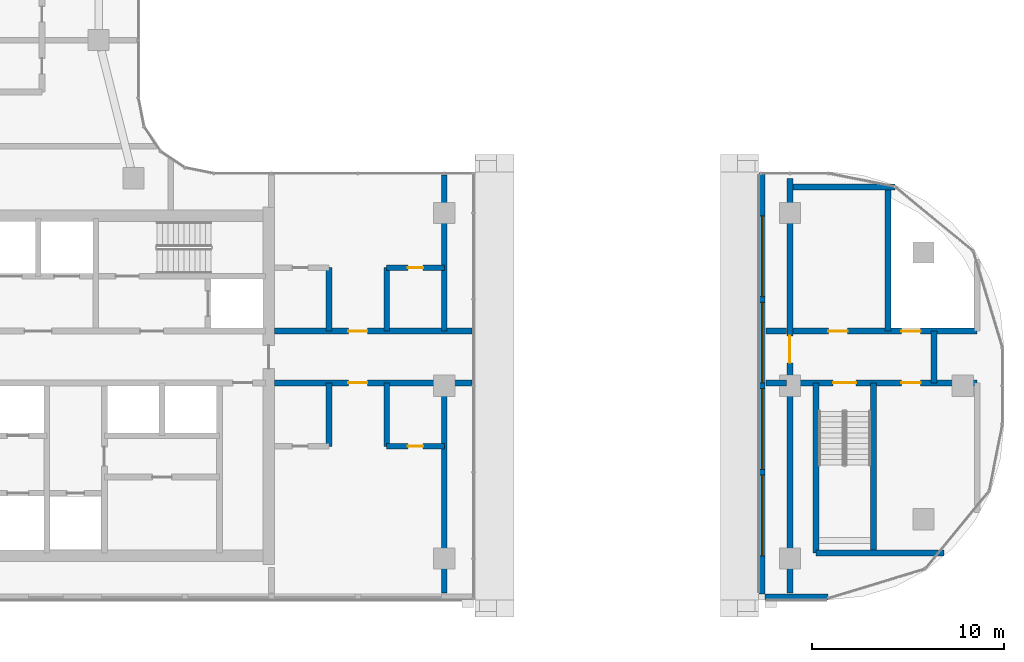
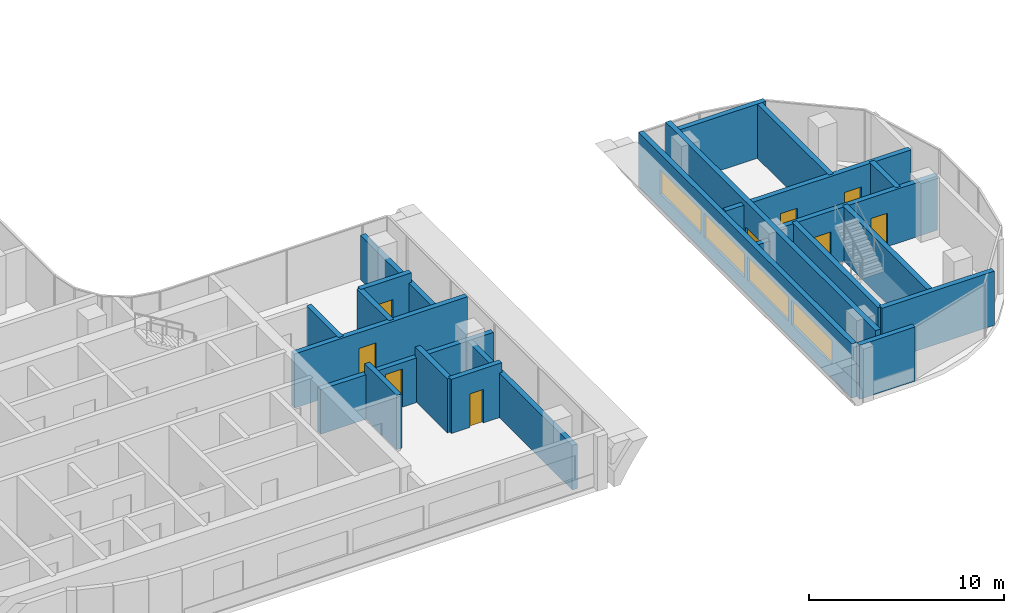
# One storey, part 12 of 23: 23 walls, 9 doors, 4 windows, 13 openings.
"""IFC4 building model written with IfcOpenShell, lengths in metres."""

from ifc_helpers import new_model, si_unit, direction, frame, frame_2d, origin, place, context, subcontext, project, spatial, rectangle, extrude, material, layer, layer_set, type_object, element, fill, save


model = new_model("IFC4")

# Units and contexts
model_context = context("Model", 3, precision=1e-05, world=origin(), true_north=direction((0.0, 1.0)))
body_context = subcontext(model_context, "Body", "Model", "MODEL_VIEW")
ifc_project = project(units=[si_unit("LENGTHUNIT", "METRE"), si_unit("AREAUNIT", "SQUARE_METRE"), si_unit("VOLUMEUNIT", "CUBIC_METRE"), si_unit("PLANEANGLEUNIT", "RADIAN"), si_unit("MASSUNIT", "GRAM", prefix="KILO")], contexts=[model_context])

# Site, building, storey
site_placement = place(None, origin())
site = spatial("IfcSite", under=ifc_project, at=site_placement, CompositionType="ELEMENT")
building_placement = place(site_placement, origin())
building = spatial("IfcBuilding", under=site, at=building_placement, Name="Ogive Portal Towers", CompositionType="ELEMENT")
storey_placement = place(building_placement, frame((0.0, 0.0, 175.5)))
storey = spatial("IfcBuildingStorey", under=building, at=storey_placement, Name="L43", CompositionType="ELEMENT", Elevation=175.5)

# Wall, openings, windows
ifc_material_1 = material(Name="Limestone cladding on lightweight block wall", Category="masonry")
ifc_layer_1 = layer(ifc_material_1, 0.300048828125)
ifc_layer_set_1 = layer_set([ifc_layer_1], Name="EXTERNAL WALL 300 STONE")
wall_type_1 = type_object("IfcWallType", Name="EXTERNAL WALL 300 STONE", PredefinedType="SOLIDWALL", material=ifc_layer_set_1)
wall_1_placement = place(storey_placement, frame((84.050048828125, 41.56494140625, 0.0), z_axis=(0.0, 0.0, 1.0), x_axis=(0.0, -1.0, 0.0)))
wall_1 = element("IfcWall", 1, at=wall_1_placement, inside=storey, type_object=wall_type_1, Name="A:L43:f35:r0:wall", PredefinedType="SOLIDWALL", context=body_context, shape_type="SweptSolid", body=[
    extrude(rectangle(XDim=21.909912109375, YDim=0.300048828125, at=frame_2d((10.955078125, 0.0))), origin(), (0.0, 0.0, 1.0), 3.39990234375),
])
opening_1_placement = place(wall_1_placement, frame((2.215087890625, 0.0, 0.89990234375)))
opening_1 = element("IfcOpeningElement", 2, at=opening_1_placement, cuts=wall_1, Name="Opening WN11", PredefinedType="OPENING", context=body_context, shape_type="SweptSolid", body=[
    extrude(rectangle(XDim=4.199951171875, YDim=1.5, at=frame_2d((2.10009765625, 0.75))), frame((0.0, 0.16015625, 0.0), z_axis=(0.0, -1.0, 0.0), x_axis=(1.0, 0.0, 0.0)), (0.0, 0.0, 1.0), 0.320068359375),
])
opening_2_placement = place(wall_1_placement, frame((6.715087890625, 0.0, 0.89990234375)))
opening_2 = element("IfcOpeningElement", 3, at=opening_2_placement, cuts=wall_1, Name="Opening WN11", PredefinedType="OPENING", context=body_context, shape_type="SweptSolid", body=[
    extrude(rectangle(XDim=4.199951171875, YDim=1.5, at=frame_2d((2.10009765625, 0.75))), frame((0.0, 0.16015625, 0.0), z_axis=(0.0, -1.0, 0.0), x_axis=(1.0, 0.0, 0.0)), (0.0, 0.0, 1.0), 0.320068359375),
])
opening_3_placement = place(wall_1_placement, frame((11.215087890625, 0.0, 0.89990234375)))
opening_3 = element("IfcOpeningElement", 4, at=opening_3_placement, cuts=wall_1, Name="Opening WN11", PredefinedType="OPENING", context=body_context, shape_type="SweptSolid", body=[
    extrude(rectangle(XDim=4.199951171875, YDim=1.5, at=frame_2d((2.10009765625, 0.75))), frame((0.0, 0.16015625, 0.0), z_axis=(0.0, -1.0, 0.0), x_axis=(1.0, 0.0, 0.0)), (0.0, 0.0, 1.0), 0.320068359375),
])
opening_4_placement = place(wall_1_placement, frame((15.715087890625, 0.0, 0.89990234375)))
opening_4 = element("IfcOpeningElement", 5, at=opening_4_placement, cuts=wall_1, Name="Opening WN11", PredefinedType="OPENING", context=body_context, shape_type="SweptSolid", body=[
    extrude(rectangle(XDim=4.199951171875, YDim=1.5, at=frame_2d((2.10009765625, 0.75))), frame((0.0, 0.16015625, 0.0), z_axis=(0.0, -1.0, 0.0), x_axis=(1.0, 0.0, 0.0)), (0.0, 0.0, 1.0), 0.320068359375),
])
ifc_material_2 = material(Name="Glass, clear low-iron insulated glazing", Category="glass")
window_type = type_object("IfcWindowType", Name="WINDOW RIBBON 4200x1500", PartitioningType="TRIPLE_PANEL_VERTICAL", PredefinedType="WINDOW", material=ifc_material_2)
window_1_placement = place(opening_1_placement, origin())
window_1 = element("IfcWindow", 6, at=window_1_placement, inside=storey, type_object=window_type, Name="A:L43:f35:r0:w1", OverallHeight=1.5, OverallWidth=4.199951171875, PartitioningType="SINGLE_PANEL", PredefinedType="WINDOW", context=body_context, shape_type="SweptSolid", body=[
    extrude(rectangle(XDim=4.199951171875, YDim=1.5, at=frame_2d((2.10009765625, 0.75))), frame((0.0, 0.030029296875, 0.0), z_axis=(0.0, -1.0, 0.0), x_axis=(1.0, 0.0, 0.0)), (0.0, 0.0, 1.0), 0.06005859375),
])
fill(opening_1, window_1)
window_2_placement = place(opening_2_placement, origin())
window_2 = element("IfcWindow", 7, at=window_2_placement, inside=storey, type_object=window_type, Name="A:L43:f35:r0:w2", OverallHeight=1.5, OverallWidth=4.199951171875, PartitioningType="SINGLE_PANEL", PredefinedType="WINDOW", context=body_context, shape_type="SweptSolid", body=[
    extrude(rectangle(XDim=4.199951171875, YDim=1.5, at=frame_2d((2.10009765625, 0.75))), frame((0.0, 0.030029296875, 0.0), z_axis=(0.0, -1.0, 0.0), x_axis=(1.0, 0.0, 0.0)), (0.0, 0.0, 1.0), 0.06005859375),
])
fill(opening_2, window_2)
window_3_placement = place(opening_3_placement, origin())
window_3 = element("IfcWindow", 8, at=window_3_placement, inside=storey, type_object=window_type, Name="A:L43:f35:r0:w3", OverallHeight=1.5, OverallWidth=4.199951171875, PartitioningType="SINGLE_PANEL", PredefinedType="WINDOW", context=body_context, shape_type="SweptSolid", body=[
    extrude(rectangle(XDim=4.199951171875, YDim=1.5, at=frame_2d((2.10009765625, 0.75))), frame((0.0, 0.030029296875, 0.0), z_axis=(0.0, -1.0, 0.0), x_axis=(1.0, 0.0, 0.0)), (0.0, 0.0, 1.0), 0.06005859375),
])
fill(opening_3, window_3)
window_4_placement = place(opening_4_placement, origin())
window_4 = element("IfcWindow", 9, at=window_4_placement, inside=storey, type_object=window_type, Name="A:L43:f35:r0:w4", OverallHeight=1.5, OverallWidth=4.199951171875, PartitioningType="SINGLE_PANEL", PredefinedType="WINDOW", context=body_context, shape_type="SweptSolid", body=[
    extrude(rectangle(XDim=4.199951171875, YDim=1.5, at=frame_2d((2.10009765625, 0.75))), frame((0.0, 0.030029296875, 0.0), z_axis=(0.0, -1.0, 0.0), x_axis=(1.0, 0.0, 0.0)), (0.0, 0.0, 1.0), 0.06005859375),
])
fill(opening_4, window_4)

# Wall
wall_2_placement = place(storey_placement, frame((84.199951171875, 19.5048828125, 0.0), z_axis=(0.0, 0.0, 1.0), x_axis=(1.0, 0.0, 0.0)))
element("IfcWall", 10, at=wall_2_placement, inside=storey, type_object=wall_type_1, Name="A:L43:f36:r0:wall", PredefinedType="SOLIDWALL", context=body_context, shape_type="SweptSolid", body=[
    extrude(rectangle(XDim=3.2880859375, YDim=0.300048828125, at=frame_2d((1.64404296875, 0.0))), origin(), (0.0, 0.0, 1.0), 3.39990234375),
])

# Wall, opening, door
ifc_material_3 = material(Name="Concrete C60/75", Category="concrete")
ifc_layer_2 = layer(ifc_material_3, 0.300048828125)
ifc_layer_set_2 = layer_set([ifc_layer_2], Name="REVEAL WALL 300 C60")
wall_type_2 = type_object("IfcWallType", Name="REVEAL WALL 300 C60", PredefinedType="SHEAR", material=ifc_layer_set_2)
wall_3_placement = place(storey_placement, frame((85.5, 19.705078125, 0.0), z_axis=(0.0, 0.0, 1.0), x_axis=(0.0, 1.0, 0.0)))
wall_3 = element("IfcWall", 11, at=wall_3_placement, inside=storey, type_object=wall_type_2, Name="Portal reveal wall L43", PredefinedType="SHEAR", context=body_context, shape_type="SweptSolid", body=[
    extrude(rectangle(XDim=21.58984375, YDim=0.300048828125, at=frame_2d((10.794921875, 0.0))), origin(), (0.0, 0.0, 1.0), 3.699951171875),
])
opening_5_placement = place(wall_3_placement, frame((11.9951171875, 0.0, 0.0)))
opening_5 = element("IfcOpeningElement", 12, at=opening_5_placement, cuts=wall_3, Name="Opening D18-054", PredefinedType="OPENING", context=body_context, shape_type="SweptSolid", body=[
    extrude(rectangle(XDim=1.39990234375, YDim=2.10009765625, at=frame_2d((0.699951171875, 1.050048828125))), frame((0.0, 0.16015625, 0.0), z_axis=(0.0, -1.0, 0.0), x_axis=(1.0, 0.0, 0.0)), (0.0, 0.0, 1.0), 0.320068359375),
])
ifc_material_4 = material(Name="Steel fire door", Category="steel")
door_type_1 = type_object("IfcDoorType", Name="DT-STAIR-1400x2100-FD90S", OperationType="SINGLE_SWING_LEFT", PredefinedType="DOOR", material=ifc_material_4)
door_1_placement = place(opening_5_placement, origin())
door_1 = element("IfcDoor", 13, at=door_1_placement, inside=storey, type_object=door_type_1, Name="Door D18-054", OperationType="SINGLE_SWING_RIGHT", OverallHeight=2.10009765625, OverallWidth=1.39990234375, PredefinedType="DOOR", context=body_context, shape_type="SweptSolid", body=[
    extrude(rectangle(XDim=1.39990234375, YDim=2.10009765625, at=frame_2d((0.699951171875, 1.050048828125))), frame((0.0, 0.02490234375, 0.0), z_axis=(0.0, -1.0, 0.0), x_axis=(1.0, 0.0, 0.0)), (0.0, 0.0, 1.0), 0.050048828125),
])
fill(opening_5, door_1)

# Wall
ifc_material_5 = material(Name="Concrete C50/60", Category="concrete")
ifc_layer_3 = layer(ifc_material_5, 0.300048828125)
ifc_layer_set_3 = layer_set([ifc_layer_3], Name="STAIR WALL 300 C50")
wall_type_3 = type_object("IfcWallType", Name="STAIR WALL 300 C50", PredefinedType="SHEAR", material=ifc_layer_set_3)
wall_4_placement = place(storey_placement, frame((86.85009765625, 21.800048828125, 0.0), z_axis=(0.0, 0.0, 1.0), x_axis=(1.0, 0.0, 0.0)))
element("IfcWall", 14, at=wall_4_placement, inside=storey, type_object=wall_type_3, Name="Stair wall ST-A4 L43", PredefinedType="SHEAR", context=body_context, shape_type="SweptSolid", body=[
    extrude(rectangle(XDim=6.663818359375, YDim=0.300048828125, at=frame_2d((3.33203125, 0.0))), origin(), (0.0, 0.0, 1.0), 3.39990234375),
])

# Wall, openings, doors
wall_5_placement = place(storey_placement, frame((85.669921875, 30.64990234375, 0.0), z_axis=(0.0, 0.0, 1.0), x_axis=(1.0, 0.0, 0.0)))
wall_5 = element("IfcWall", 15, at=wall_5_placement, inside=storey, type_object=wall_type_3, Name="Stair wall ST-A4 L43", PredefinedType="SHEAR", context=body_context, shape_type="SweptSolid", body=[
    extrude(rectangle(XDim=9.580078125, YDim=0.300048828125, at=frame_2d((4.7900390625, 0.0))), origin(), (0.0, 0.0, 1.0), 3.39990234375),
])
opening_6_placement = place(wall_5_placement, frame((2.080078125, 0.0, 0.0)))
opening_6 = element("IfcOpeningElement", 16, at=opening_6_placement, cuts=wall_5, Name="Opening D18-049", PredefinedType="OPENING", context=body_context, shape_type="SweptSolid", body=[
    extrude(rectangle(XDim=1.199951171875, YDim=2.10009765625, at=frame_2d((0.60009765625, 1.050048828125))), frame((0.0, 0.16015625, 0.0), z_axis=(0.0, -1.0, 0.0), x_axis=(1.0, 0.0, 0.0)), (0.0, 0.0, 1.0), 0.320068359375),
])
opening_7_placement = place(wall_5_placement, frame((5.6298828125, 0.0, 0.0)))
opening_7 = element("IfcOpeningElement", 17, at=opening_7_placement, cuts=wall_5, Name="Opening D18-052", PredefinedType="OPENING", context=body_context, shape_type="SweptSolid", body=[
    extrude(rectangle(XDim=1.0, YDim=2.10009765625, at=frame_2d((0.5, 1.050048828125))), frame((0.0, 0.16015625, 0.0), z_axis=(0.0, -1.0, 0.0), x_axis=(1.0, 0.0, 0.0)), (0.0, 0.0, 1.0), 0.320068359375),
])
door_type_2 = type_object("IfcDoorType", Name="DT-SERVICE-1000x2100-FD90S", OperationType="SINGLE_SWING_LEFT", PredefinedType="DOOR", material=ifc_material_4)
door_2_placement = place(opening_7_placement, origin())
door_2 = element("IfcDoor", 18, at=door_2_placement, inside=storey, type_object=door_type_2, Name="Door D18-052", OperationType="SINGLE_SWING_LEFT", OverallHeight=2.10009765625, OverallWidth=1.0, PredefinedType="DOOR", context=body_context, shape_type="SweptSolid", body=[
    extrude(rectangle(XDim=1.0, YDim=2.10009765625, at=frame_2d((0.5, 1.050048828125))), frame((0.0, 0.02490234375, 0.0), z_axis=(0.0, -1.0, 0.0), x_axis=(1.0, 0.0, 0.0)), (0.0, 0.0, 1.0), 0.050048828125),
])
fill(opening_7, door_2)
door_type_3 = type_object("IfcDoorType", Name="DT-STAIR-1200x2100-FD90S", OperationType="SINGLE_SWING_LEFT", PredefinedType="DOOR", material=ifc_material_4)
door_3_placement = place(opening_6_placement, origin())
door_3 = element("IfcDoor", 19, at=door_3_placement, inside=storey, type_object=door_type_3, Name="Door D18-049", OperationType="SINGLE_SWING_LEFT", OverallHeight=2.10009765625, OverallWidth=1.199951171875, PredefinedType="DOOR", context=body_context, shape_type="SweptSolid", body=[
    extrude(rectangle(XDim=1.199951171875, YDim=2.10009765625, at=frame_2d((0.60009765625, 1.050048828125))), frame((0.0, 0.02490234375, 0.0), z_axis=(0.0, -1.0, 0.0), x_axis=(1.0, 0.0, 0.0)), (0.0, 0.0, 1.0), 0.050048828125),
])
fill(opening_6, door_3)

# Walls
for number, where, z_axis, x_axis, name in (
    (20, (86.85009765625, 21.800048828125, 0.0), (0.0, 0.0, 1.0), (0.0, 1.0, 0.0), "Stair wall ST-A4 L43"),
    (21, (89.85009765625, 21.800048828125, 0.0), (0.0, 0.0, 1.0), (0.0, 1.0, 0.0), "Stair wall ST-A4 L43"),
):
    element("IfcWall", number, at=place(storey_placement, frame(where, z_axis=z_axis, x_axis=x_axis)), inside=storey, type_object=wall_type_3, Name=name, PredefinedType="SHEAR", context=body_context, shape_type="SweptSolid", body=[
        extrude(rectangle(XDim=8.849853515625, YDim=0.300048828125, at=frame_2d((4.4248046875, 0.0))), origin(), (0.0, 0.0, 1.0), 3.39990234375),
    ])

# Wall, opening, door
ifc_material_6 = material(Name="Gypsum board partition on steel studs", Category="steel")
ifc_layer_4 = layer(ifc_material_6, 0.300048828125)
ifc_layer_set_4 = layer_set([ifc_layer_4], Name="WT-PART-300-EI 120")
wall_type_4 = type_object("IfcWallType", Name="WT-PART-300-EI 120", PredefinedType="PARTITIONING", material=ifc_layer_set_4)
wall_6_placement = place(storey_placement, frame((58.64990234375, 30.64990234375, 0.0), z_axis=(0.0, 0.0, 1.0), x_axis=(1.0, 0.0, 0.0)))
wall_6 = element("IfcWall", 22, at=wall_6_placement, inside=storey, type_object=wall_type_4, Name="Wall L43:w004", PredefinedType="PARTITIONING", context=body_context, shape_type="SweptSolid", body=[
    extrude(rectangle(XDim=10.280029296875, YDim=0.300048828125, at=frame_2d((5.14013671875, 0.0))), origin(), (0.0, 0.0, 1.0), 2.800048828125),
])
opening_8_placement = place(wall_6_placement, frame((3.85009765625, 0.0, 0.0)))
opening_8 = element("IfcOpeningElement", 23, at=opening_8_placement, cuts=wall_6, Name="Opening D18-030", PredefinedType="OPENING", context=body_context, shape_type="SweptSolid", body=[
    extrude(rectangle(XDim=1.0, YDim=2.39990234375, at=frame_2d((0.5, 1.199951171875))), frame((0.0, 0.16015625, 0.0), z_axis=(0.0, -1.0, 0.0), x_axis=(1.0, 0.0, 0.0)), (0.0, 0.0, 1.0), 0.320068359375),
])
door_type_4 = type_object("IfcDoorType", Name="DT-ENTRY-1000x2400-FD90S", OperationType="SINGLE_SWING_LEFT", PredefinedType="DOOR", material=ifc_material_4)
door_4_placement = place(opening_8_placement, origin())
door_4 = element("IfcDoor", 24, at=door_4_placement, inside=storey, type_object=door_type_4, Name="Door D18-030", OperationType="SINGLE_SWING_LEFT", OverallHeight=2.39990234375, OverallWidth=1.0, PredefinedType="DOOR", context=body_context, shape_type="SweptSolid", body=[
    extrude(rectangle(XDim=1.0, YDim=2.39990234375, at=frame_2d((0.5, 1.199951171875))), frame((0.0, 0.02490234375, 0.0), z_axis=(0.0, -1.0, 0.0), x_axis=(1.0, 0.0, 0.0)), (0.0, 0.0, 1.0), 0.050048828125),
])
fill(opening_8, door_4)

# Wall
wall_7_placement = place(storey_placement, frame((84.25, 30.64990234375, 0.0), z_axis=(0.0, 0.0, 1.0), x_axis=(1.0, 0.0, 0.0)))
element("IfcWall", 25, at=wall_7_placement, inside=storey, type_object=wall_type_4, Name="Wall L43:w005", PredefinedType="PARTITIONING", context=body_context, shape_type="SweptSolid", body=[
    extrude(rectangle(XDim=1.080078125, YDim=0.300048828125, at=frame_2d((0.5400390625, 0.0))), origin(), (0.0, 0.0, 1.0), 2.800048828125),
])

# Wall, opening, door
wall_8_placement = place(storey_placement, frame((58.64990234375, 33.35009765625, 0.0), z_axis=(0.0, 0.0, 1.0), x_axis=(1.0, 0.0, 0.0)))
wall_8 = element("IfcWall", 26, at=wall_8_placement, inside=storey, type_object=wall_type_4, Name="Wall L43:w007", PredefinedType="PARTITIONING", context=body_context, shape_type="SweptSolid", body=[
    extrude(rectangle(XDim=10.280029296875, YDim=0.300048828125, at=frame_2d((5.14013671875, 0.0))), origin(), (0.0, 0.0, 1.0), 3.39990234375),
])
opening_9_placement = place(wall_8_placement, frame((3.85009765625, 0.0, 0.0)))
opening_9 = element("IfcOpeningElement", 27, at=opening_9_placement, cuts=wall_8, Name="Opening D18-027", PredefinedType="OPENING", context=body_context, shape_type="SweptSolid", body=[
    extrude(rectangle(XDim=1.0, YDim=2.39990234375, at=frame_2d((0.5, 1.199951171875))), frame((0.0, 0.16015625, 0.0), z_axis=(0.0, -1.0, 0.0), x_axis=(1.0, 0.0, 0.0)), (0.0, 0.0, 1.0), 0.320068359375),
])
door_5_placement = place(opening_9_placement, origin())
door_5 = element("IfcDoor", 28, at=door_5_placement, inside=storey, type_object=door_type_4, Name="Door D18-027", OperationType="SINGLE_SWING_LEFT", OverallHeight=2.39990234375, OverallWidth=1.0, PredefinedType="DOOR", context=body_context, shape_type="SweptSolid", body=[
    extrude(rectangle(XDim=1.0, YDim=2.39990234375, at=frame_2d((0.5, 1.199951171875))), frame((0.0, 0.02490234375, 0.0), z_axis=(0.0, -1.0, 0.0), x_axis=(1.0, 0.0, 0.0)), (0.0, 0.0, 1.0), 0.050048828125),
])
fill(opening_9, door_5)

# Wall
wall_9_placement = place(storey_placement, frame((84.25, 33.35009765625, 0.0), z_axis=(0.0, 0.0, 1.0), x_axis=(1.0, 0.0, 0.0)))
element("IfcWall", 29, at=wall_9_placement, inside=storey, type_object=wall_type_4, Name="Wall L43:w008", PredefinedType="PARTITIONING", context=body_context, shape_type="SweptSolid", body=[
    extrude(rectangle(XDim=1.080078125, YDim=0.300048828125, at=frame_2d((0.5400390625, 0.0))), origin(), (0.0, 0.0, 1.0), 3.39990234375),
])

# Wall, openings, doors
wall_10_placement = place(storey_placement, frame((85.669921875, 33.35009765625, 0.0), z_axis=(0.0, 0.0, 1.0), x_axis=(1.0, 0.0, 0.0)))
wall_10 = element("IfcWall", 30, at=wall_10_placement, inside=storey, type_object=wall_type_4, Name="Wall L43:w009", PredefinedType="PARTITIONING", context=body_context, shape_type="SweptSolid", body=[
    extrude(rectangle(XDim=9.580078125, YDim=0.300048828125, at=frame_2d((4.7900390625, 0.0))), origin(), (0.0, 0.0, 1.0), 3.39990234375),
])
opening_10_placement = place(wall_10_placement, frame((1.830078125, 0.0, 0.0)))
opening_10 = element("IfcOpeningElement", 31, at=opening_10_placement, cuts=wall_10, Name="Opening D18-050", PredefinedType="OPENING", context=body_context, shape_type="SweptSolid", body=[
    extrude(rectangle(XDim=1.0, YDim=2.10009765625, at=frame_2d((0.5, 1.050048828125))), frame((0.0, 0.16015625, 0.0), z_axis=(0.0, -1.0, 0.0), x_axis=(1.0, 0.0, 0.0)), (0.0, 0.0, 1.0), 0.320068359375),
])
opening_11_placement = place(wall_10_placement, frame((5.6298828125, 0.0, 0.0)))
opening_11 = element("IfcOpeningElement", 32, at=opening_11_placement, cuts=wall_10, Name="Opening D18-051", PredefinedType="OPENING", context=body_context, shape_type="SweptSolid", body=[
    extrude(rectangle(XDim=1.0, YDim=2.10009765625, at=frame_2d((0.5, 1.050048828125))), frame((0.0, 0.16015625, 0.0), z_axis=(0.0, -1.0, 0.0), x_axis=(1.0, 0.0, 0.0)), (0.0, 0.0, 1.0), 0.320068359375),
])
door_6_placement = place(opening_10_placement, origin())
door_6 = element("IfcDoor", 33, at=door_6_placement, inside=storey, type_object=door_type_2, Name="Door D18-050", OperationType="SINGLE_SWING_LEFT", OverallHeight=2.10009765625, OverallWidth=1.0, PredefinedType="DOOR", context=body_context, shape_type="SweptSolid", body=[
    extrude(rectangle(XDim=1.0, YDim=2.10009765625, at=frame_2d((0.5, 1.050048828125))), frame((0.0, 0.02490234375, 0.0), z_axis=(0.0, -1.0, 0.0), x_axis=(1.0, 0.0, 0.0)), (0.0, 0.0, 1.0), 0.050048828125),
])
fill(opening_10, door_6)
door_7_placement = place(opening_11_placement, origin())
door_7 = element("IfcDoor", 34, at=door_7_placement, inside=storey, type_object=door_type_2, Name="Riser access door D18-051", OperationType="SINGLE_SWING_RIGHT", OverallHeight=2.10009765625, OverallWidth=1.0, PredefinedType="DOOR", context=body_context, shape_type="SweptSolid", body=[
    extrude(rectangle(XDim=1.0, YDim=2.10009765625, at=frame_2d((0.5, 1.050048828125))), frame((0.0, 0.02490234375, 0.0), z_axis=(0.0, -1.0, 0.0), x_axis=(1.0, 0.0, 0.0)), (0.0, 0.0, 1.0), 0.050048828125),
])
fill(opening_11, door_7)

# Wall
wall_11_placement = place(storey_placement, frame((93.0, 30.64990234375, 0.0), z_axis=(0.0, 0.0, 1.0), x_axis=(0.0, 1.0, 0.0)))
element("IfcWall", 35, at=wall_11_placement, inside=storey, type_object=wall_type_4, Name="Wall L43:w054", PredefinedType="PARTITIONING", context=body_context, shape_type="SweptSolid", body=[
    extrude(rectangle(XDim=2.7001953125, YDim=0.300048828125, at=frame_2d((1.35009765625, 0.0))), origin(), (0.0, 0.0, 1.0), 3.39990234375),
])

# Wall, opening, door
ifc_layer_5 = layer(ifc_material_6, 0.300048828125)
ifc_layer_set_5 = layer_set([ifc_layer_5], Name="WT-PART-300-EI 60")
wall_type_5 = type_object("IfcWallType", Name="WT-PART-300-EI 60", PredefinedType="PARTITIONING", material=ifc_layer_set_5)
wall_12_placement = place(storey_placement, frame((64.5, 27.35009765625, 0.0), z_axis=(0.0, 0.0, 1.0), x_axis=(1.0, 0.0, 0.0)))
wall_12 = element("IfcWall", 36, at=wall_12_placement, inside=storey, type_object=wall_type_5, Name="Wall L43:w003", PredefinedType="PARTITIONING", context=body_context, shape_type="SweptSolid", body=[
    extrude(rectangle(XDim=3.0, YDim=0.300048828125, at=frame_2d((1.5, 0.0))), origin(), (0.0, 0.0, 1.0), 3.39990234375),
])
opening_12_placement = place(wall_12_placement, frame((1.10009765625, 0.0, 0.0)))
opening_12 = element("IfcOpeningElement", 37, at=opening_12_placement, cuts=wall_12, Name="Opening D18-029", PredefinedType="OPENING", context=body_context, shape_type="SweptSolid", body=[
    extrude(rectangle(XDim=0.800048828125, YDim=2.10009765625, at=frame_2d((0.39990234375, 1.050048828125))), frame((0.0, 0.16015625, 0.0), z_axis=(0.0, -1.0, 0.0), x_axis=(1.0, 0.0, 0.0)), (0.0, 0.0, 1.0), 0.320068359375),
])
door_type_5 = type_object("IfcDoorType", Name="DT-BATH-800x2100-FD60S", OperationType="SINGLE_SWING_LEFT", PredefinedType="DOOR", material=ifc_material_4)
door_8_placement = place(opening_12_placement, origin())
door_8 = element("IfcDoor", 38, at=door_8_placement, inside=storey, type_object=door_type_5, Name="Door D18-029", OperationType="SINGLE_SWING_RIGHT", OverallHeight=2.10009765625, OverallWidth=0.800048828125, PredefinedType="DOOR", context=body_context, shape_type="SweptSolid", body=[
    extrude(rectangle(XDim=0.800048828125, YDim=2.10009765625, at=frame_2d((0.39990234375, 1.050048828125))), frame((0.0, 0.02490234375, 0.0), z_axis=(0.0, -1.0, 0.0), x_axis=(1.0, 0.0, 0.0)), (0.0, 0.0, 1.0), 0.050048828125),
])
fill(opening_12, door_8)

wall_13_placement = place(storey_placement, frame((64.5, 36.64990234375, 0.0), z_axis=(0.0, 0.0, 1.0), x_axis=(1.0, 0.0, 0.0)))
wall_13 = element("IfcWall", 39, at=wall_13_placement, inside=storey, type_object=wall_type_5, Name="Wall L43:w011", PredefinedType="PARTITIONING", context=body_context, shape_type="SweptSolid", body=[
    extrude(rectangle(XDim=3.0, YDim=0.300048828125, at=frame_2d((1.5, 0.0))), origin(), (0.0, 0.0, 1.0), 3.39990234375),
])
opening_13_placement = place(wall_13_placement, frame((1.10009765625, 0.0, 0.0)))
opening_13 = element("IfcOpeningElement", 40, at=opening_13_placement, cuts=wall_13, Name="Opening D18-026", PredefinedType="OPENING", context=body_context, shape_type="SweptSolid", body=[
    extrude(rectangle(XDim=0.800048828125, YDim=2.10009765625, at=frame_2d((0.39990234375, 1.050048828125))), frame((0.0, 0.16015625, 0.0), z_axis=(0.0, -1.0, 0.0), x_axis=(1.0, 0.0, 0.0)), (0.0, 0.0, 1.0), 0.320068359375),
])
door_9_placement = place(opening_13_placement, origin())
door_9 = element("IfcDoor", 41, at=door_9_placement, inside=storey, type_object=door_type_5, Name="Door D18-026", OperationType="SINGLE_SWING_RIGHT", OverallHeight=2.10009765625, OverallWidth=0.800048828125, PredefinedType="DOOR", context=body_context, shape_type="SweptSolid", body=[
    extrude(rectangle(XDim=0.800048828125, YDim=2.10009765625, at=frame_2d((0.39990234375, 1.050048828125))), frame((0.0, 0.02490234375, 0.0), z_axis=(0.0, -1.0, 0.0), x_axis=(1.0, 0.0, 0.0)), (0.0, 0.0, 1.0), 0.050048828125),
])
fill(opening_13, door_9)

# Walls
wall_14_placement = place(storey_placement, frame((85.669921875, 40.85009765625, 0.0), z_axis=(0.0, 0.0, 1.0), x_axis=(1.0, 0.0, 0.0)))
element("IfcWall", 42, at=wall_14_placement, inside=storey, type_object=wall_type_5, Name="Wall L43:w013", PredefinedType="PARTITIONING", context=body_context, shape_type="SweptSolid", body=[
    extrude(rectangle(XDim=5.2919921875, YDim=0.300048828125, at=frame_2d((2.64599609375, 0.0))), origin(), (0.0, 0.0, 1.0), 3.39990234375),
])
for number, where, z_axis, x_axis, name in (
    (43, (61.5, 27.35009765625, 0.0), (0.0, 0.0, 1.0), (0.0, 1.0, 0.0), "Wall L43:w045"),
    (44, (61.5, 33.35009765625, 0.0), (0.0, 0.0, 1.0), (0.0, 1.0, 0.0), "Wall L43:w046"),
    (45, (64.5, 27.35009765625, 0.0), (0.0, 0.0, 1.0), (0.0, 1.0, 0.0), "Wall L43:w047"),
    (46, (64.5, 33.35009765625, 0.0), (0.0, 0.0, 1.0), (0.0, 1.0, 0.0), "Wall L43:w048"),
):
    element("IfcWall", number, at=place(storey_placement, frame(where, z_axis=z_axis, x_axis=x_axis)), inside=storey, type_object=wall_type_5, Name=name, PredefinedType="PARTITIONING", context=body_context, shape_type="SweptSolid", body=[
        extrude(rectangle(XDim=3.2998046875, YDim=0.300048828125, at=frame_2d((1.64990234375, 0.0))), origin(), (0.0, 0.0, 1.0), 3.39990234375),
    ])
wall_15_placement = place(storey_placement, frame((67.5, 19.705078125, 0.0), z_axis=(0.0, 0.0, 1.0), x_axis=(0.0, 1.0, 0.0)))
element("IfcWall", 47, at=wall_15_placement, inside=storey, type_object=wall_type_5, Name="Wall L43:w049", PredefinedType="PARTITIONING", context=body_context, shape_type="SweptSolid", body=[
    extrude(rectangle(XDim=10.94482421875, YDim=0.300048828125, at=frame_2d((5.472412109375, 0.0))), origin(), (0.0, 0.0, 1.0), 2.800048828125),
])
wall_16_placement = place(storey_placement, frame((67.5, 33.35009765625, 0.0), z_axis=(0.0, 0.0, 1.0), x_axis=(0.0, 1.0, 0.0)))
element("IfcWall", 48, at=wall_16_placement, inside=storey, type_object=wall_type_5, Name="Wall L43:w050", PredefinedType="PARTITIONING", context=body_context, shape_type="SweptSolid", body=[
    extrude(rectangle(XDim=8.125, YDim=0.300048828125, at=frame_2d((4.0625, 0.0))), origin(), (0.0, 0.0, 1.0), 2.800048828125),
])
wall_17_placement = place(storey_placement, frame((90.60009765625, 33.35009765625, 0.0), z_axis=(0.0, 0.0, 1.0), x_axis=(0.0, 1.0, 0.0)))
element("IfcWall", 49, at=wall_17_placement, inside=storey, type_object=wall_type_5, Name="Wall L43:w053", PredefinedType="PARTITIONING", context=body_context, shape_type="SweptSolid", body=[
    extrude(rectangle(XDim=7.35400390625, YDim=0.300048828125, at=frame_2d((3.677001953125, 0.0))), origin(), (0.0, 0.0, 1.0), 3.39990234375),
])

save(model, "model.ifc")
